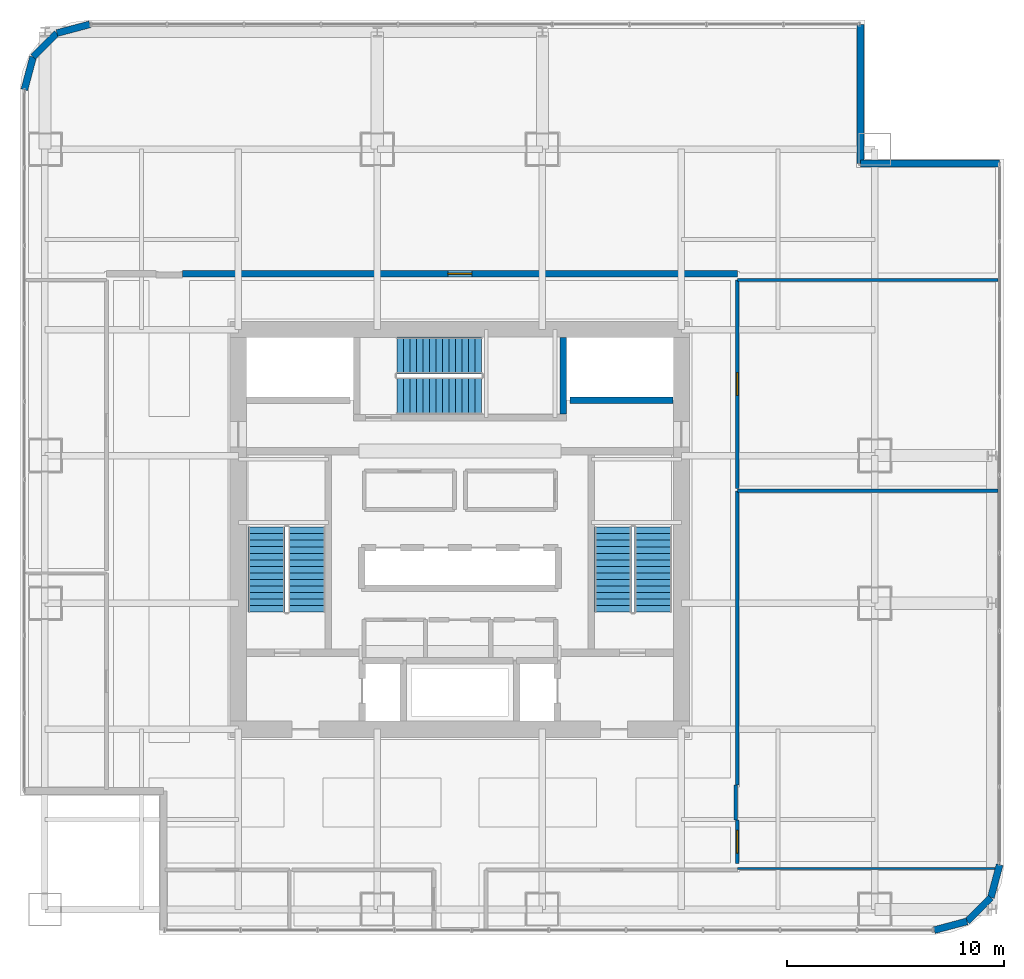
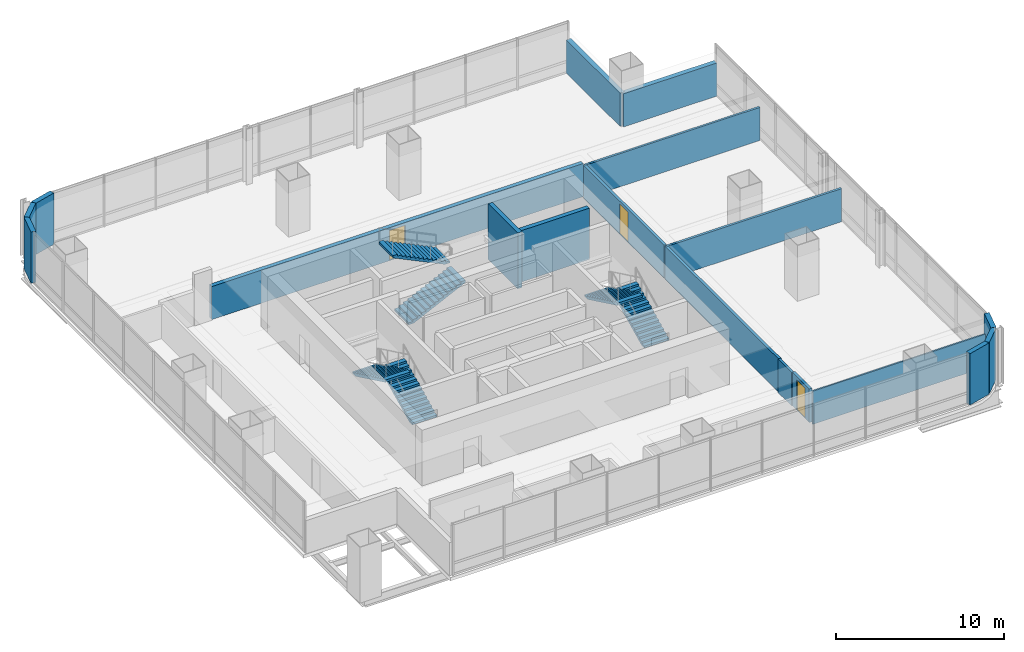
# One storey, part 29 of 33: 18 walls, 6 stair flights, 3 doors, 3 openings, 3 elements without a shape of their own.
"""IFC4 building model written with IfcOpenShell, lengths in metres."""

from ifc_helpers import new_model, si_unit, direction, frame, frame_2d, origin, place, context, subcontext, project, spatial, polyline, rectangle, outline, extrude, material, layer, layer_set, type_object, element, fill, aggregate, save


model = new_model("IFC4")

# Units and contexts
model_context = context("Model", 3, precision=1e-05, world=origin(), true_north=direction((0.0, 1.0)))
body_context = subcontext(model_context, "Body", "Model", "MODEL_VIEW")
ifc_project = project(units=[si_unit("LENGTHUNIT", "METRE"), si_unit("AREAUNIT", "SQUARE_METRE"), si_unit("VOLUMEUNIT", "CUBIC_METRE"), si_unit("PLANEANGLEUNIT", "RADIAN"), si_unit("MASSUNIT", "GRAM", prefix="KILO")], contexts=[model_context])

# Site, building, storey
site_placement = place(None, origin())
site = spatial("IfcSite", under=ifc_project, at=site_placement, CompositionType="ELEMENT")
building_placement = place(site_placement, origin())
building = spatial("IfcBuilding", under=site, at=building_placement, Name="Punatoya Terracotta Tower", CompositionType="ELEMENT")
storey_placement = place(building_placement, frame((0.0, 0.0, 121.35009765625)))
storey = spatial("IfcBuildingStorey", under=building, at=storey_placement, Name="L28", CompositionType="ELEMENT", Elevation=121.35009765625)

# Wall, opening, door
ifc_material_1 = material(Name="Concrete C40/50", Category="concrete")
ifc_layer_1 = layer(ifc_material_1, 0.280029296875)
ifc_layer_set_1 = layer_set([ifc_layer_1], Name="Concrete C40/50")
wall_type_1 = type_object("IfcWallType", Name="WL-AUD-280", PredefinedType="SOLIDWALL", material=ifc_layer_set_1)
wall_1_placement = place(storey_placement, frame((12.77001953125, 11.77001953125, 0.0), z_axis=(0.0, 0.0, 1.0), x_axis=(-1.0, 0.0, 0.0)))
wall_1 = element("IfcWall", 1, at=wall_1_placement, inside=storey, type_object=wall_type_1, Name="L28 Fitness Movement Lounge Partition 33", PredefinedType="SOLIDWALL", context=body_context, shape_type="SweptSolid", body=[
    extrude(rectangle(XDim=25.5400390625, YDim=0.280029296875, at=frame_2d((12.77001953125, 0.0))), origin(), (0.0, 0.0, 1.0), 2.40380859375),
])
opening_1_placement = place(wall_1_placement, frame((12.219970703125, 0.0, 0.0)))
opening_1 = element("IfcOpeningElement", 2, at=opening_1_placement, cuts=wall_1, Name="Opening FD-P1", PredefinedType="OPENING", context=body_context, shape_type="SweptSolid", body=[
    extrude(rectangle(XDim=1.10009765625, YDim=2.199951171875, at=frame_2d((0.550048828125, 1.10009765625))), frame((0.0, 0.14990234375, 0.0), z_axis=(0.0, -1.0, 0.0), x_axis=(1.0, 0.0, 0.0)), (0.0, 0.0, 1.0), 0.300048828125),
])
ifc_material_2 = material(Name="Galvanised Steel Plant Fire Door", Category="steel")
door_type_1 = type_object("IfcDoorType", Name="DR-PLT-1100", OperationType="NOTDEFINED", PredefinedType="DOOR", material=ifc_material_2)
door_1_placement = place(opening_1_placement, origin())
door_1 = element("IfcDoor", 3, at=door_1_placement, inside=storey, type_object=door_type_1, Name="L28 Fitness Movement Lounge Fire Door", OperationType="SINGLE_SWING_LEFT", OverallHeight=2.199951171875, OverallWidth=1.10009765625, PredefinedType="DOOR", context=body_context, shape_type="SweptSolid", body=[
    extrude(rectangle(XDim=1.10009765625, YDim=2.199951171875, at=frame_2d((0.550048828125, 1.10009765625))), frame((0.0, 0.02490234375, 0.0), z_axis=(0.0, -1.0, 0.0), x_axis=(1.0, 0.0, 0.0)), (0.0, 0.0, 1.0), 0.050048828125),
])
fill(opening_1, door_1)

ifc_material_3 = material(Name="Gypsum Fireboard + Steel Stud", Category="steel")
ifc_layer_2 = layer(ifc_material_3, 0.179931640625)
ifc_layer_set_2 = layer_set([ifc_layer_2], Name="Gypsum Fireboard + Steel Stud")
wall_type_2 = type_object("IfcWallType", Name="WL-CORR-180", PredefinedType="PARTITIONING", material=ifc_layer_set_2)
wall_2_placement = place(storey_placement, frame((12.77001953125, -15.389892578125, 0.0), z_axis=(0.0, 0.0, 1.0), x_axis=(0.0, 1.0, 0.0)))
wall_2 = element("IfcWall", 4, at=wall_2_placement, inside=storey, type_object=wall_type_2, Name="L28 Nutrition Tea Pantry Partition 25", PredefinedType="PARTITIONING", context=body_context, shape_type="SweptSolid", body=[
    extrude(rectangle(XDim=2.010009765625, YDim=0.179931640625, at=frame_2d((1.0048828125, 0.0))), origin(), (0.0, 0.0, 1.0), 2.44384765625),
])
opening_2_placement = place(wall_2_placement, frame((0.47998046875, 0.0, 0.0)))
opening_2 = element("IfcOpeningElement", 5, at=opening_2_placement, cuts=wall_2, Name="Opening OD-01", PredefinedType="OPENING", context=body_context, shape_type="SweptSolid", body=[
    extrude(rectangle(XDim=1.050048828125, YDim=2.199951171875, at=frame_2d((0.52490234375, 1.10009765625))), frame((0.0, 0.099853515625, 0.0), z_axis=(0.0, -1.0, 0.0), x_axis=(1.0, 0.0, 0.0)), (0.0, 0.0, 1.0), 0.199951171875),
])
ifc_material_4 = material(Name="Bengal Teak Solid-Core Leaf")
door_type_2 = type_object("IfcDoorType", Name="DR-OFF-1050", OperationType="NOTDEFINED", PredefinedType="DOOR", material=ifc_material_4)
door_2_placement = place(opening_2_placement, origin())
door_2 = element("IfcDoor", 6, at=door_2_placement, inside=storey, type_object=door_type_2, Name="L28 Nutrition Tea Pantry Door", OperationType="SINGLE_SWING_RIGHT", OverallHeight=2.199951171875, OverallWidth=1.050048828125, PredefinedType="DOOR", context=body_context, shape_type="SweptSolid", body=[
    extrude(rectangle(XDim=1.050048828125, YDim=2.199951171875, at=frame_2d((0.52490234375, 1.10009765625))), frame((0.0, 0.02490234375, 0.0), z_axis=(0.0, -1.0, 0.0), x_axis=(1.0, 0.0, 0.0)), (0.0, 0.0, 1.0), 0.050048828125),
])
fill(opening_2, door_2)

# Wall
wall_3_placement = place(storey_placement, frame((12.77001953125, -11.77001953125, 0.0), z_axis=(0.0, 0.0, 1.0), x_axis=(0.0, 1.0, 0.0)))
element("IfcWall", 7, at=wall_3_placement, inside=storey, type_object=wall_type_2, Name="L28 Nutrition Tea Pantry Partition 27", PredefinedType="PARTITIONING", context=body_context, shape_type="SweptSolid", body=[
    extrude(rectangle(XDim=13.5400390625, YDim=0.179931640625, at=frame_2d((6.77001953125, 0.0))), origin(), (0.0, 0.0, 1.0), 2.40380859375),
])

# Wall, opening, door
wall_4_placement = place(storey_placement, frame((12.77001953125, 1.889892578125, 0.0), z_axis=(0.0, 0.0, 1.0), x_axis=(0.0, 1.0, 0.0)))
wall_4 = element("IfcWall", 8, at=wall_4_placement, inside=storey, type_object=wall_type_2, Name="L28 Open-Plan Cultural Reading Library Partition 31", PredefinedType="PARTITIONING", context=body_context, shape_type="SweptSolid", body=[
    extrude(rectangle(XDim=9.60009765625, YDim=0.179931640625, at=frame_2d((4.800048828125, 0.0))), origin(), (0.0, 0.0, 1.0), 2.40380859375),
])
opening_3_placement = place(wall_4_placement, frame((4.27490234375, 0.0, 0.0)))
opening_3 = element("IfcOpeningElement", 9, at=opening_3_placement, cuts=wall_4, Name="Opening OD-01", PredefinedType="OPENING", context=body_context, shape_type="SweptSolid", body=[
    extrude(rectangle(XDim=1.050048828125, YDim=2.199951171875, at=frame_2d((0.52490234375, 1.10009765625))), frame((0.0, 0.099853515625, 0.0), z_axis=(0.0, -1.0, 0.0), x_axis=(1.0, 0.0, 0.0)), (0.0, 0.0, 1.0), 0.199951171875),
])
door_3_placement = place(opening_3_placement, origin())
door_3 = element("IfcDoor", 10, at=door_3_placement, inside=storey, type_object=door_type_2, Name="L28 Open-Plan Cultural Reading Library Door", OperationType="SINGLE_SWING_RIGHT", OverallHeight=2.199951171875, OverallWidth=1.050048828125, PredefinedType="DOOR", context=body_context, shape_type="SweptSolid", body=[
    extrude(rectangle(XDim=1.050048828125, YDim=2.199951171875, at=frame_2d((0.52490234375, 1.10009765625))), frame((0.0, 0.02490234375, 0.0), z_axis=(0.0, -1.0, 0.0), x_axis=(1.0, 0.0, 0.0)), (0.0, 0.0, 1.0), 0.050048828125),
])
fill(opening_3, door_3)

# Walls
ifc_material_5 = material(Name="Precast concrete C40/50", Category="concrete")
ifc_layer_3 = layer(ifc_material_5, 0.320068359375)
ifc_layer_set_3 = layer_set([ifc_layer_3], Name="Precast concrete C40/50")
wall_type_3 = type_object("IfcWallType", Name="WL-EXT-320", PredefinedType="SOLIDWALL", material=ifc_layer_set_3)
wall_5_placement = place(storey_placement, frame((21.8369140625, -18.449951171875, 0.0), z_axis=(0.0, 0.0, 1.0), x_axis=(0.966224582397, 0.257701486942, 0.0)))
element("IfcWall", 11, at=wall_5_placement, inside=storey, type_object=wall_type_3, Name="L28 Rounded Terracotta Corner Pier 02", PredefinedType="SOLIDWALL", context=body_context, shape_type="SweptSolid", body=[
    extrude(rectangle(XDim=1.565185546875, YDim=0.320068359375, at=frame_2d((0.78271484375, 0.0))), origin(), (0.0, 0.0, 1.0), 3.72998046875),
])
wall_6_placement = place(storey_placement, frame((23.34912109375, -18.046630859375, 0.0), z_axis=(0.0, 0.0, 1.0), x_axis=(0.707106781187, 0.707106781187, 0.0)))
element("IfcWall", 12, at=wall_6_placement, inside=storey, type_object=wall_type_3, Name="L28 Rounded Terracotta Corner Pier 03", PredefinedType="SOLIDWALL", context=body_context, shape_type="SweptSolid", body=[
    extrude(rectangle(XDim=1.552001953125, YDim=0.320068359375, at=frame_2d((0.77587890625, 0.0))), origin(), (0.0, 0.0, 1.0), 3.72998046875),
])
wall_7_placement = place(storey_placement, frame((24.446533203125, -16.94921875, 0.0), z_axis=(0.0, 0.0, 1.0), x_axis=(0.257847112249, 0.966185730957, 0.0)))
element("IfcWall", 13, at=wall_7_placement, inside=storey, type_object=wall_type_3, Name="L28 Rounded Terracotta Corner Pier 04", PredefinedType="SOLIDWALL", context=body_context, shape_type="SweptSolid", body=[
    extrude(rectangle(XDim=1.565185546875, YDim=0.320068359375, at=frame_2d((0.78271484375, 0.0))), origin(), (0.0, 0.0, 1.0), 3.72998046875),
])
wall_8_placement = place(storey_placement, frame((24.85009765625, 16.85009765625, 0.0), z_axis=(0.0, 0.0, 1.0), x_axis=(-1.0, 0.0, 0.0)))
element("IfcWall", 14, at=wall_8_placement, inside=storey, type_object=wall_type_3, Name="L28 Recessed Corner-Slot Terracotta Wall 06", PredefinedType="SOLIDWALL", context=body_context, shape_type="SweptSolid", body=[
    extrude(rectangle(XDim=6.400146484375, YDim=0.320068359375, at=frame_2d((3.2001953125, 0.0))), origin(), (0.0, 0.0, 1.0), 2.40380859375),
])
wall_9_placement = place(storey_placement, frame((18.449951171875, 16.85009765625, 0.0), z_axis=(0.0, 0.0, 1.0), x_axis=(0.0, 1.0, 0.0)))
element("IfcWall", 15, at=wall_9_placement, inside=storey, type_object=wall_type_3, Name="L28 Recessed Corner-Slot Terracotta Wall 07", PredefinedType="SOLIDWALL", context=body_context, shape_type="SweptSolid", body=[
    extrude(rectangle(XDim=6.39990234375, YDim=0.320068359375, at=frame_2d((3.199951171875, 0.0))), origin(), (0.0, 0.0, 1.0), 2.40380859375),
])
wall_10_placement = place(storey_placement, frame((-17.036865234375, 23.25, 0.0), z_axis=(0.0, 0.0, 1.0), x_axis=(-0.966224582397, -0.257701486942, 0.0)))
element("IfcWall", 16, at=wall_10_placement, inside=storey, type_object=wall_type_3, Name="L28 Rounded Terracotta Corner Pier 09", PredefinedType="SOLIDWALL", context=body_context, shape_type="SweptSolid", body=[
    extrude(rectangle(XDim=1.565185546875, YDim=0.320068359375, at=frame_2d((0.78271484375, 0.0))), origin(), (0.0, 0.0, 1.0), 3.72998046875),
])
wall_11_placement = place(storey_placement, frame((-18.549072265625, 22.8466796875, 0.0), z_axis=(0.0, 0.0, 1.0), x_axis=(-0.707028130747, -0.707185422879, 0.0)))
element("IfcWall", 17, at=wall_11_placement, inside=storey, type_object=wall_type_3, Name="L28 Rounded Terracotta Corner Pier 10", PredefinedType="SOLIDWALL", context=body_context, shape_type="SweptSolid", body=[
    extrude(rectangle(XDim=1.55224609375, YDim=0.320068359375, at=frame_2d((0.776123046875, 0.0))), origin(), (0.0, 0.0, 1.0), 3.72998046875),
])
wall_12_placement = place(storey_placement, frame((-19.646484375, 21.7490234375, 0.0), z_axis=(0.0, 0.0, 1.0), x_axis=(-0.257847112249, -0.966185730957, 0.0)))
element("IfcWall", 18, at=wall_12_placement, inside=storey, type_object=wall_type_3, Name="L28 Rounded Terracotta Corner Pier 11", PredefinedType="SOLIDWALL", context=body_context, shape_type="SweptSolid", body=[
    extrude(rectangle(XDim=1.565185546875, YDim=0.320068359375, at=frame_2d((0.78271484375, 0.0))), origin(), (0.0, 0.0, 1.0), 3.72998046875),
])
ifc_material_6 = material(Name="Aluminium Framed Acoustic Glass Partition", Category="aluminium")
ifc_layer_4 = layer(ifc_material_6, 0.10009765625)
ifc_layer_set_4 = layer_set([ifc_layer_4], Name="Aluminium Framed Acoustic Glass Partition")
wall_type_4 = type_object("IfcWallType", Name="WL-GLZ-100", PredefinedType="PARTITIONING", material=ifc_layer_set_4)
wall_13_placement = place(storey_placement, frame((12.77001953125, -15.610107421875, 0.0), z_axis=(0.0, 0.0, 1.0), x_axis=(1.0, 0.0, 0.0)))
element("IfcWall", 19, at=wall_13_placement, inside=storey, type_object=wall_type_4, Name="L28 Open-Plan Cultural History Classroom Partition 21", PredefinedType="PARTITIONING", context=body_context, shape_type="SweptSolid", body=[
    extrude(rectangle(XDim=11.9765625, YDim=0.10009765625, at=frame_2d((5.98828125, 0.0))), origin(), (0.0, 0.0, 1.0), 2.40380859375),
])
ifc_material_7 = material(Name="Acoustic Gypsum + Steel Stud", Category="steel")
ifc_layer_5 = layer(ifc_material_7, 0.139892578125)
ifc_layer_set_5 = layer_set([ifc_layer_5], Name="Acoustic Gypsum + Steel Stud")
wall_type_5 = type_object("IfcWallType", Name="WL-OFF-140", PredefinedType="PARTITIONING", material=ifc_layer_set_5)
wall_14_placement = place(storey_placement, frame((12.77001953125, 11.489990234375, 0.0), z_axis=(0.0, 0.0, 1.0), x_axis=(1.0, 0.0, 0.0)))
element("IfcWall", 20, at=wall_14_placement, inside=storey, type_object=wall_type_5, Name="L28 Open-Plan Cultural Reading Library Partition 32", PredefinedType="PARTITIONING", context=body_context, shape_type="SweptSolid", body=[
    extrude(rectangle(XDim=12.0, YDim=0.139892578125, at=frame_2d((6.0, 0.0))), origin(), (0.0, 0.0, 1.0), 2.40380859375),
])
ifc_layer_6 = layer(ifc_material_1, 0.300048828125)
ifc_layer_set_6 = layer_set([ifc_layer_6], Name="Concrete C40/50")
wall_type_6 = type_object("IfcWallType", Name="WL-SHF-300", PredefinedType="SOLIDWALL", material=ifc_layer_set_6)
wall_15_placement = place(storey_placement, frame((4.75, 8.824951171875, 0.0), z_axis=(0.0, 0.0, 1.0), x_axis=(0.0, -1.0, 0.0)))
element("IfcWall", 21, at=wall_15_placement, inside=storey, type_object=wall_type_6, Name="L28 Structural Stair Shaft Wall SW-ST3-E", PredefinedType="SOLIDWALL", context=body_context, shape_type="SweptSolid", body=[
    extrude(rectangle(XDim=3.52490234375, YDim=0.300048828125, at=frame_2d((1.762451171875, 0.0))), origin(), (0.0, 0.0, 1.0), 4.0498046875),
])
wall_16_placement = place(storey_placement, frame((5.06005859375, 5.949951171875, 0.0), z_axis=(0.0, 0.0, 1.0), x_axis=(1.0, 0.0, 0.0)))
element("IfcWall", 22, at=wall_16_placement, inside=storey, type_object=wall_type_6, Name="L28 Shuttle SL-2 South Hoistway Wall", PredefinedType="SOLIDWALL", context=body_context, shape_type="SweptSolid", body=[
    extrude(rectangle(XDim=4.760009765625, YDim=0.300048828125, at=frame_2d((2.3798828125, 0.0))), origin(), (0.0, 0.0, 1.0), 3.72998046875),
])
ifc_material_8 = material(Name="Masonry Blockwork + Ceramic Tile", Category="masonry")
ifc_layer_7 = layer(ifc_material_8, 0.159912109375)
ifc_layer_set_7 = layer_set([ifc_layer_7], Name="Masonry Blockwork + Ceramic Tile")
wall_type_7 = type_object("IfcWallType", Name="WL-WET-160", PredefinedType="PARTITIONING", material=ifc_layer_set_7)
wall_17_placement = place(storey_placement, frame((12.7099609375, -13.3798828125, 0.0), z_axis=(0.0, 0.0, 1.0), x_axis=(0.0, 1.0, 0.0)))
element("IfcWall", 23, at=wall_17_placement, inside=storey, type_object=wall_type_7, Name="L28 Nutrition Tea Pantry Partition 26", PredefinedType="PARTITIONING", context=body_context, shape_type="SweptSolid", body=[
    extrude(rectangle(XDim=1.60986328125, YDim=0.159912109375, at=frame_2d((0.804931640625, 0.0))), origin(), (0.0, 0.0, 1.0), 2.44384765625),
])
wall_18_placement = place(storey_placement, frame((12.77001953125, 1.77001953125, 0.0), z_axis=(0.0, 0.0, 1.0), x_axis=(1.0, 0.0, 0.0)))
element("IfcWall", 24, at=wall_18_placement, inside=storey, type_object=wall_type_7, Name="L28 Nutrition Tea Pantry Partition 28", PredefinedType="PARTITIONING", context=body_context, shape_type="SweptSolid", body=[
    extrude(rectangle(XDim=12.0, YDim=0.159912109375, at=frame_2d((6.0, 0.0))), origin(), (0.0, 0.0, 1.0), 2.40380859375),
])

# Stair, stair flights
stair_type_1 = type_object("IfcStairType", Name="STR-CORE-1550", PredefinedType="HALF_TURN_STAIR", material=ifc_material_1)
stair_1_placement = place(storey_placement, origin())
stair_1 = element("IfcStair", 25, at=stair_1_placement, inside=storey, type_object=stair_type_1, Name="L28 Protected Core Exit Stair ST-1", PredefinedType="HALF_TURN_STAIR")
stair_flight_type_1 = type_object("IfcStairFlightType", Name="SFL-CORE-1550", PredefinedType="STRAIGHT", material=ifc_material_1)
stair_flight_1_placement = place(storey_placement, frame((-7.050048828125, -3.800048828125, 0.0), z_axis=(0.0, 0.0, 1.0), x_axis=(0.0, 1.0, 0.0)))
stair_flight_1 = element("IfcStairFlight", 26, at=stair_flight_1_placement, type_object=stair_flight_type_1, Name="ST-1 flight 1", NumberOfRisers=14, NumberOfTreads=13, PredefinedType="STRAIGHT", RiserHeight=0.144642857, TreadLength=0.3, context=body_context, shape_type="SweptSolid", body=[
    extrude(outline(polyline([(0.0, 0.0), (0.0, 0.14453125), (0.300048828125, 0.14453125), (0.300048828125, 0.289306640625), (0.60009765625, 0.289306640625), (0.60009765625, 0.433837890625), (0.89990234375, 0.433837890625), (0.89990234375, 0.57861328125), (1.199951171875, 0.57861328125), (1.199951171875, 0.72314453125), (1.5, 0.72314453125), (1.5, 0.867919921875), (1.800048828125, 0.867919921875), (1.800048828125, 1.012451171875), (2.10009765625, 1.012451171875), (2.10009765625, 1.1572265625), (2.39990234375, 1.1572265625), (2.39990234375, 1.3017578125), (2.699951171875, 1.3017578125), (2.699951171875, 1.446533203125), (3.0, 1.446533203125), (3.0, 1.591064453125), (3.300048828125, 1.591064453125), (3.300048828125, 1.735595703125), (3.60009765625, 1.735595703125), (3.60009765625, 1.88037109375), (3.89990234375, 1.88037109375), (3.89990234375, 2.02490234375), (3.89990234375, 1.7138671875), (0.34521484375, 0.0), (0.0, 0.0)])), frame((0.0, 0.85009765625, 0.0), z_axis=(0.0, -1.0, 0.0), x_axis=(1.0, 0.0, 0.0)), (0.0, 0.0, 1.0), 1.699951171875),
])
stair_flight_2_placement = place(storey_placement, frame((-8.89990234375, 0.10009765625, 2.02490234375), z_axis=(0.0, 0.0, 1.0), x_axis=(0.0, -1.0, 0.0)))
stair_flight_2 = element("IfcStairFlight", 27, at=stair_flight_2_placement, type_object=stair_flight_type_1, Name="ST-1 flight 2", NumberOfRisers=14, NumberOfTreads=13, PredefinedType="STRAIGHT", RiserHeight=0.144642857, TreadLength=0.3, context=body_context, shape_type="SweptSolid", body=[
    extrude(outline(polyline([(0.0, 0.0), (0.0, 0.14453125), (0.300048828125, 0.14453125), (0.300048828125, 0.289306640625), (0.60009765625, 0.289306640625), (0.60009765625, 0.433837890625), (0.89990234375, 0.433837890625), (0.89990234375, 0.57861328125), (1.199951171875, 0.57861328125), (1.199951171875, 0.72314453125), (1.5, 0.72314453125), (1.5, 0.867919921875), (1.800048828125, 0.867919921875), (1.800048828125, 1.012451171875), (2.10009765625, 1.012451171875), (2.10009765625, 1.1572265625), (2.39990234375, 1.1572265625), (2.39990234375, 1.3017578125), (2.699951171875, 1.3017578125), (2.699951171875, 1.446533203125), (3.0, 1.446533203125), (3.0, 1.591064453125), (3.300048828125, 1.591064453125), (3.300048828125, 1.735595703125), (3.60009765625, 1.735595703125), (3.60009765625, 1.88037109375), (3.89990234375, 1.88037109375), (3.89990234375, 2.02490234375), (3.89990234375, 1.7138671875), (0.34521484375, 0.0), (0.0, 0.0)])), frame((0.0, 0.85009765625, 0.0), z_axis=(0.0, -1.0, 0.0), x_axis=(1.0, 0.0, 0.0)), (0.0, 0.0, 1.0), 1.699951171875),
])
aggregate(stair_1, [stair_flight_1, stair_flight_2])

stair_type_2 = type_object("IfcStairType", Name="STR-LOB-1650", PredefinedType="HALF_TURN_STAIR", material=ifc_material_1)
stair_2_placement = place(storey_placement, origin())
stair_2 = element("IfcStair", 28, at=stair_2_placement, inside=storey, type_object=stair_type_2, Name="L28 Protected Core Exit Stair ST-2", PredefinedType="HALF_TURN_STAIR")
stair_flight_type_2 = type_object("IfcStairFlightType", Name="SFL-LOB-1650", PredefinedType="STRAIGHT", material=ifc_material_1)
stair_flight_3_placement = place(storey_placement, frame((8.89990234375, -3.800048828125, 0.0), z_axis=(0.0, 0.0, 1.0), x_axis=(0.0, 1.0, 0.0)))
stair_flight_3 = element("IfcStairFlight", 29, at=stair_flight_3_placement, type_object=stair_flight_type_2, Name="ST-2 flight 1", NumberOfRisers=14, NumberOfTreads=13, PredefinedType="STRAIGHT", RiserHeight=0.144642857, TreadLength=0.3, context=body_context, shape_type="SweptSolid", body=[
    extrude(outline(polyline([(0.0, 0.0), (0.0, 0.14453125), (0.300048828125, 0.14453125), (0.300048828125, 0.289306640625), (0.60009765625, 0.289306640625), (0.60009765625, 0.433837890625), (0.89990234375, 0.433837890625), (0.89990234375, 0.57861328125), (1.199951171875, 0.57861328125), (1.199951171875, 0.72314453125), (1.5, 0.72314453125), (1.5, 0.867919921875), (1.800048828125, 0.867919921875), (1.800048828125, 1.012451171875), (2.10009765625, 1.012451171875), (2.10009765625, 1.1572265625), (2.39990234375, 1.1572265625), (2.39990234375, 1.3017578125), (2.699951171875, 1.3017578125), (2.699951171875, 1.446533203125), (3.0, 1.446533203125), (3.0, 1.591064453125), (3.300048828125, 1.591064453125), (3.300048828125, 1.735595703125), (3.60009765625, 1.735595703125), (3.60009765625, 1.88037109375), (3.89990234375, 1.88037109375), (3.89990234375, 2.02490234375), (3.89990234375, 1.7138671875), (0.34521484375, 0.0), (0.0, 0.0)])), frame((0.0, 0.85009765625, 0.0), z_axis=(0.0, -1.0, 0.0), x_axis=(1.0, 0.0, 0.0)), (0.0, 0.0, 1.0), 1.699951171875),
])
stair_flight_4_placement = place(storey_placement, frame((7.050048828125, 0.10009765625, 2.02490234375), z_axis=(0.0, 0.0, 1.0), x_axis=(0.0, -1.0, 0.0)))
stair_flight_4 = element("IfcStairFlight", 30, at=stair_flight_4_placement, type_object=stair_flight_type_2, Name="ST-2 flight 2", NumberOfRisers=14, NumberOfTreads=13, PredefinedType="STRAIGHT", RiserHeight=0.144642857, TreadLength=0.3, context=body_context, shape_type="SweptSolid", body=[
    extrude(outline(polyline([(0.0, 0.0), (0.0, 0.14453125), (0.300048828125, 0.14453125), (0.300048828125, 0.289306640625), (0.60009765625, 0.289306640625), (0.60009765625, 0.433837890625), (0.89990234375, 0.433837890625), (0.89990234375, 0.57861328125), (1.199951171875, 0.57861328125), (1.199951171875, 0.72314453125), (1.5, 0.72314453125), (1.5, 0.867919921875), (1.800048828125, 0.867919921875), (1.800048828125, 1.012451171875), (2.10009765625, 1.012451171875), (2.10009765625, 1.1572265625), (2.39990234375, 1.1572265625), (2.39990234375, 1.3017578125), (2.699951171875, 1.3017578125), (2.699951171875, 1.446533203125), (3.0, 1.446533203125), (3.0, 1.591064453125), (3.300048828125, 1.591064453125), (3.300048828125, 1.735595703125), (3.60009765625, 1.735595703125), (3.60009765625, 1.88037109375), (3.89990234375, 1.88037109375), (3.89990234375, 2.02490234375), (3.89990234375, 1.7138671875), (0.34521484375, 0.0), (0.0, 0.0)])), frame((0.0, 0.85009765625, 0.0), z_axis=(0.0, -1.0, 0.0), x_axis=(1.0, 0.0, 0.0)), (0.0, 0.0, 1.0), 1.699951171875),
])
aggregate(stair_2, [stair_flight_3, stair_flight_4])

stair_type_3 = type_object("IfcStairType", Name="STR-TER-1450", PredefinedType="HALF_TURN_STAIR", material=ifc_material_1)
stair_3_placement = place(storey_placement, origin())
stair_3 = element("IfcStair", 31, at=stair_3_placement, inside=storey, type_object=stair_type_3, Name="L28 Protected Core Exit Stair ST-3", PredefinedType="HALF_TURN_STAIR")
stair_flight_type_3 = type_object("IfcStairFlightType", Name="SFL-TER-1450", PredefinedType="STRAIGHT", material=ifc_material_1)
stair_flight_5_placement = place(storey_placement, frame((-2.89990234375, 6.14990234375, 0.0), z_axis=(0.0, 0.0, 1.0), x_axis=(1.0, 0.0, 0.0)))
stair_flight_5 = element("IfcStairFlight", 32, at=stair_flight_5_placement, type_object=stair_flight_type_3, Name="ST-3 flight 1", NumberOfRisers=14, NumberOfTreads=13, PredefinedType="STRAIGHT", RiserHeight=0.144642857, TreadLength=0.3, context=body_context, shape_type="SweptSolid", body=[
    extrude(outline(polyline([(0.0, 0.0), (0.0, 0.14453125), (0.300048828125, 0.14453125), (0.300048828125, 0.289306640625), (0.60009765625, 0.289306640625), (0.60009765625, 0.433837890625), (0.89990234375, 0.433837890625), (0.89990234375, 0.57861328125), (1.199951171875, 0.57861328125), (1.199951171875, 0.72314453125), (1.5, 0.72314453125), (1.5, 0.867919921875), (1.800048828125, 0.867919921875), (1.800048828125, 1.012451171875), (2.10009765625, 1.012451171875), (2.10009765625, 1.1572265625), (2.39990234375, 1.1572265625), (2.39990234375, 1.3017578125), (2.699951171875, 1.3017578125), (2.699951171875, 1.446533203125), (3.0, 1.446533203125), (3.0, 1.591064453125), (3.300048828125, 1.591064453125), (3.300048828125, 1.735595703125), (3.60009765625, 1.735595703125), (3.60009765625, 1.88037109375), (3.89990234375, 1.88037109375), (3.89990234375, 2.02490234375), (3.89990234375, 1.7138671875), (0.34521484375, 0.0), (0.0, 0.0)])), frame((0.0, 0.85009765625, 0.0), z_axis=(0.0, -1.0, 0.0), x_axis=(1.0, 0.0, 0.0)), (0.0, 0.0, 1.0), 1.699951171875),
])
stair_flight_6_placement = place(storey_placement, frame((1.0, 8.0, 2.02490234375), z_axis=(0.0, 0.0, 1.0), x_axis=(-1.0, 0.0, 0.0)))
stair_flight_6 = element("IfcStairFlight", 33, at=stair_flight_6_placement, type_object=stair_flight_type_3, Name="ST-3 flight 2", NumberOfRisers=14, NumberOfTreads=13, PredefinedType="STRAIGHT", RiserHeight=0.144642857, TreadLength=0.3, context=body_context, shape_type="SweptSolid", body=[
    extrude(outline(polyline([(0.0, 0.0), (0.0, 0.14453125), (0.300048828125, 0.14453125), (0.300048828125, 0.289306640625), (0.60009765625, 0.289306640625), (0.60009765625, 0.433837890625), (0.89990234375, 0.433837890625), (0.89990234375, 0.57861328125), (1.199951171875, 0.57861328125), (1.199951171875, 0.72314453125), (1.5, 0.72314453125), (1.5, 0.867919921875), (1.800048828125, 0.867919921875), (1.800048828125, 1.012451171875), (2.10009765625, 1.012451171875), (2.10009765625, 1.1572265625), (2.39990234375, 1.1572265625), (2.39990234375, 1.3017578125), (2.699951171875, 1.3017578125), (2.699951171875, 1.446533203125), (3.0, 1.446533203125), (3.0, 1.591064453125), (3.300048828125, 1.591064453125), (3.300048828125, 1.735595703125), (3.60009765625, 1.735595703125), (3.60009765625, 1.88037109375), (3.89990234375, 1.88037109375), (3.89990234375, 2.02490234375), (3.89990234375, 1.7138671875), (0.34521484375, 0.0), (0.0, 0.0)])), frame((0.0, 0.85009765625, 0.0), z_axis=(0.0, -1.0, 0.0), x_axis=(1.0, 0.0, 0.0)), (0.0, 0.0, 1.0), 1.699951171875),
])
aggregate(stair_3, [stair_flight_5, stair_flight_6])

save(model, "model.ifc")
